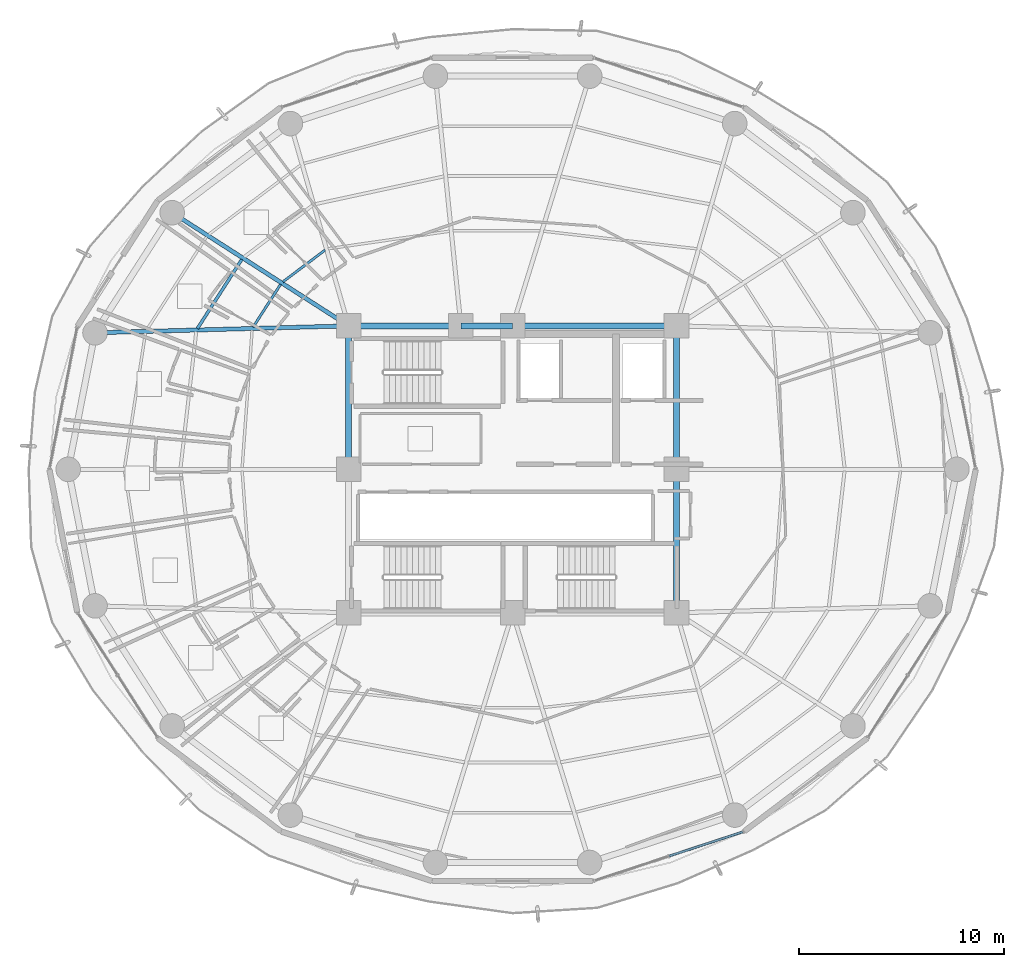
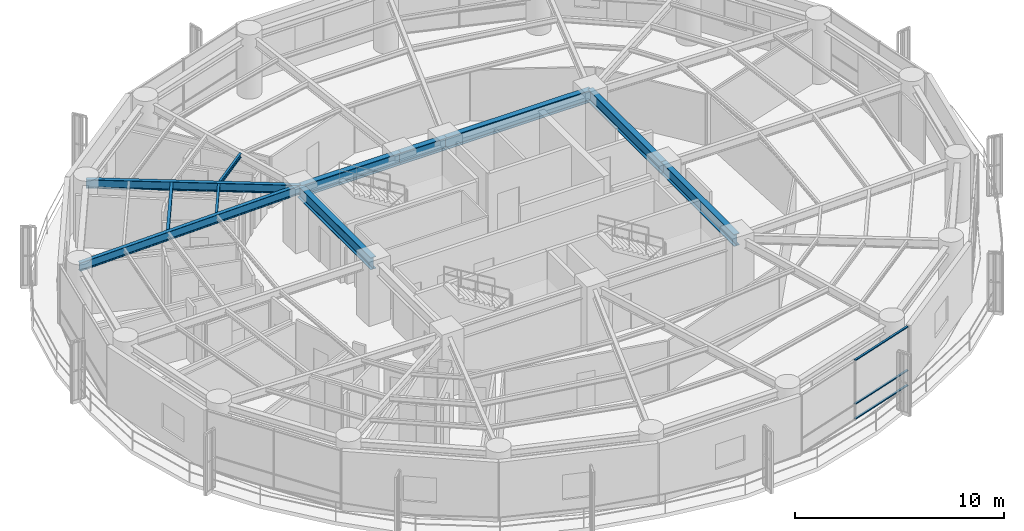
# One storey, part 9 of 27: 11 beams, 3 members, 1 element without a shape of its own.
"""IFC4 building model written with IfcOpenShell, lengths in metres."""

from ifc_helpers import new_model, si_unit, direction, frame, origin, origin_2d, place, context, subcontext, project, spatial, hollow_rectangle, i_section, extrude, material, layer, layer_set, material_profile, profile_set, type_object, element, aggregate, save


model = new_model("IFC4")

# Units and contexts
model_context = context("Model", 3, precision=1e-05, world=origin(), true_north=direction((0.0, 1.0)))
body_context = subcontext(model_context, "Body", "Model", "MODEL_VIEW")
ifc_project = project(units=[si_unit("LENGTHUNIT", "METRE"), si_unit("AREAUNIT", "SQUARE_METRE"), si_unit("VOLUMEUNIT", "CUBIC_METRE"), si_unit("PLANEANGLEUNIT", "RADIAN"), si_unit("MASSUNIT", "GRAM", prefix="KILO")], contexts=[model_context])

# Site, building, storey
site_placement = place(None, origin())
site = spatial("IfcSite", under=ifc_project, at=site_placement, CompositionType="ELEMENT")
building_placement = place(site_placement, origin())
building = spatial("IfcBuilding", under=site, at=building_placement, Name="Kelanora Arch Commons", CompositionType="ELEMENT")
storey_placement = place(building_placement, frame((0.0, 0.0, 173.10009765625)))
storey = spatial("IfcBuildingStorey", under=building, at=storey_placement, Name="L44", CompositionType="ELEMENT", Elevation=173.10009765625)

# Beams
ifc_material_1 = material(Name="Steel S355", Category="steel")
ifc_material_profile_1 = material_profile(ifc_material_1, i_section(OverallWidth=0.300048828125, OverallDepth=0.699951171875, WebThickness=0.01708984375, FlangeThickness=0.031982421875, FilletRadius=0.027099609375, at=origin_2d()), Name="HEB700")
ifc_profile_set_1 = profile_set([ifc_material_profile_1], Name="Steel S355")
beam_type_1 = type_object("IfcBeamType", Name="BM-CORE-HDR", PredefinedType="BEAM", material=ifc_profile_set_1)
for number, where, z_axis, x_axis, name in (
    (1, (82.0, 51.0, 3.139892578125), (0.0, 1.0, 0.0), (-1.0, 0.0, 0.0), "Core Header Beam 03 L44"),
    (2, (82.0, 58.0, 3.139892578125), (0.0, 1.0, 0.0), (-1.0, 0.0, 0.0), "Core Header Beam 04 L44"),
):
    element("IfcBeam", number, at=place(storey_placement, frame(where, z_axis=z_axis, x_axis=x_axis)), inside=storey, type_object=beam_type_1, Name=name, PredefinedType="BEAM", context=body_context, shape_type="SweptSolid", body=[
        extrude(i_section(OverallWidth=0.300048828125, OverallDepth=0.699951171875, WebThickness=0.01708984375, FlangeThickness=0.031982421875, FilletRadius=0.027099609375, at=origin_2d()), origin(), (0.0, 0.0, 1.0), 7.0),
    ])
beam_1_placement = place(storey_placement, frame((82.0, 65.0, 3.139892578125), z_axis=(-1.0, 0.0, 0.0), x_axis=(0.0, -1.0, 0.0)))
element("IfcBeam", 3, at=beam_1_placement, inside=storey, type_object=beam_type_1, Name="Core Header Beam 05 L44", PredefinedType="BEAM", context=body_context, shape_type="SweptSolid", body=[
    extrude(i_section(OverallWidth=0.300048828125, OverallDepth=0.699951171875, WebThickness=0.01708984375, FlangeThickness=0.031982421875, FilletRadius=0.027099609375, at=origin_2d()), origin(), (0.0, 0.0, 1.0), 8.0),
])
beam_2_placement = place(storey_placement, frame((74.0, 65.0, 3.139892578125), z_axis=(-1.0, 0.0, 0.0), x_axis=(0.0, -1.0, 0.0)))
element("IfcBeam", 4, at=beam_2_placement, inside=storey, type_object=beam_type_1, Name="Core Header Beam 06 L44", PredefinedType="BEAM", context=body_context, shape_type="SweptSolid", body=[
    extrude(i_section(OverallWidth=0.300048828125, OverallDepth=0.699951171875, WebThickness=0.01708984375, FlangeThickness=0.031982421875, FilletRadius=0.027099609375, at=origin_2d()), origin(), (0.0, 0.0, 1.0), 2.52001953125),
])
beam_3_placement = place(storey_placement, frame((71.47998046875, 65.0, 3.139892578125), z_axis=(-1.0, 0.0, 0.0), x_axis=(0.0, -1.0, 0.0)))
element("IfcBeam", 5, at=beam_3_placement, inside=storey, type_object=beam_type_1, Name="Core Header Beam 07 L44", PredefinedType="BEAM", context=body_context, shape_type="SweptSolid", body=[
    extrude(i_section(OverallWidth=0.300048828125, OverallDepth=0.699951171875, WebThickness=0.01708984375, FlangeThickness=0.031982421875, FilletRadius=0.027099609375, at=origin_2d()), origin(), (0.0, 0.0, 1.0), 5.47998046875),
])
beam_4_placement = place(storey_placement, frame((66.0, 65.0, 3.139892578125), z_axis=(0.0, -1.0, 0.0), x_axis=(1.0, 0.0, 0.0)))
element("IfcBeam", 6, at=beam_4_placement, inside=storey, type_object=beam_type_1, Name="Core Header Beam 08 L44", PredefinedType="BEAM", context=body_context, shape_type="SweptSolid", body=[
    extrude(i_section(OverallWidth=0.300048828125, OverallDepth=0.699951171875, WebThickness=0.01708984375, FlangeThickness=0.031982421875, FilletRadius=0.027099609375, at=origin_2d()), origin(), (0.0, 0.0, 1.0), 7.0),
])
ifc_material_profile_2 = material_profile(ifc_material_1, i_section(OverallWidth=0.14990234375, OverallDepth=0.300048828125, WebThickness=0.007080078125, FlangeThickness=0.0107421875, FilletRadius=0.014892578125, at=origin_2d()), Name="IPE300")
ifc_profile_set_2 = profile_set([ifc_material_profile_2], Name="Steel S355")
beam_type_2 = type_object("IfcBeamType", Name="BM-JST-01", PredefinedType="JOIST", material=ifc_profile_set_2)
beam_5_placement = place(storey_placement, frame((60.789306640625, 68.241455078125, 3.33984375), z_axis=(-0.540594434398, -0.841283339606, 0.0), x_axis=(0.841283339606, -0.540594434398, 0.0)))
element("IfcBeam", 7, at=beam_5_placement, inside=storey, type_object=beam_type_2, Name="Secondary Chord Joist BJB-14 L44", PredefinedType="JOIST", context=body_context, shape_type="SweptSolid", body=[
    extrude(i_section(OverallWidth=0.14990234375, OverallDepth=0.300048828125, WebThickness=0.007080078125, FlangeThickness=0.0107421875, FilletRadius=0.014892578125, at=origin_2d()), origin(), (0.0, 0.0, 1.0), 4.008544921875),
])
ifc_material_profile_3 = material_profile(ifc_material_1, i_section(OverallWidth=0.1201171875, OverallDepth=0.239990234375, WebThickness=0.006103515625, FlangeThickness=0.009765625, FilletRadius=0.014892578125, at=origin_2d()), Name="IPE240")
ifc_profile_set_3 = profile_set([ifc_material_profile_3], Name="Steel S355")
beam_type_3 = type_object("IfcBeamType", Name="BM-JST-02", PredefinedType="JOIST", material=ifc_profile_set_3)
beam_6_placement = place(storey_placement, frame((64.852783203125, 68.699462890625, 3.369873046875), z_axis=(-0.798484118859, -0.602015873487, 0.0), x_axis=(0.602015873487, -0.798484118859, 0.0)))
element("IfcBeam", 8, at=beam_6_placement, inside=storey, type_object=beam_type_3, Name="Secondary Chord Joist BJA-12 L44", PredefinedType="JOIST", context=body_context, shape_type="SweptSolid", body=[
    extrude(i_section(OverallWidth=0.1201171875, OverallDepth=0.239990234375, WebThickness=0.006103515625, FlangeThickness=0.009765625, FilletRadius=0.014892578125, at=origin_2d()), origin(), (0.0, 0.0, 1.0), 2.57470703125),
])
beam_7_placement = place(storey_placement, frame((62.68310546875, 67.026611328125, 3.369873046875), z_axis=(-0.540583174025, -0.841290575224, 0.0), x_axis=(0.841290575224, -0.540583174025, 0.0)))
element("IfcBeam", 9, at=beam_7_placement, inside=storey, type_object=beam_type_3, Name="Secondary Chord Joist BJA-14 L44", PredefinedType="JOIST", context=body_context, shape_type="SweptSolid", body=[
    extrude(i_section(OverallWidth=0.1201171875, OverallDepth=0.239990234375, WebThickness=0.006103515625, FlangeThickness=0.009765625, FilletRadius=0.014892578125, at=origin_2d()), origin(), (0.0, 0.0, 1.0), 2.476318359375),
])
ifc_material_profile_4 = material_profile(ifc_material_1, i_section(OverallWidth=0.199951171875, OverallDepth=0.5, WebThickness=0.01025390625, FlangeThickness=0.01611328125, FilletRadius=0.02099609375, at=origin_2d()), Name="IPE500")
ifc_profile_set_4 = profile_set([ifc_material_profile_4], Name="Steel S355")
beam_type_4 = type_object("IfcBeamType", Name="BM-RAD-Z3", PredefinedType="BEAM", material=ifc_profile_set_4)
beam_8_placement = place(storey_placement, frame((66.0, 65.0, 3.239990234375), z_axis=(-0.841719465748, 0.539915123868, 0.0), x_axis=(-0.539915123868, -0.841719465748, 0.0)))
element("IfcBeam", 10, at=beam_8_placement, inside=storey, type_object=beam_type_4, Name="Radial Floor Girder BR-14 L44", PredefinedType="BEAM", context=body_context, shape_type="SweptSolid", body=[
    extrude(i_section(OverallWidth=0.199951171875, OverallDepth=0.5, WebThickness=0.01025390625, FlangeThickness=0.01611328125, FilletRadius=0.02099609375, at=origin_2d()), origin(), (0.0, 0.0, 1.0), 10.2265625),
])
beam_9_placement = place(storey_placement, frame((66.0, 65.0, 3.239990234375), z_axis=(-0.999628374924, -0.027260081577, 0.0), x_axis=(0.027260081577, -0.999628374924, 0.0)))
element("IfcBeam", 11, at=beam_9_placement, inside=storey, type_object=beam_type_4, Name="Radial Floor Girder BR-16 L44", PredefinedType="BEAM", context=body_context, shape_type="SweptSolid", body=[
    extrude(i_section(OverallWidth=0.199951171875, OverallDepth=0.5, WebThickness=0.01025390625, FlangeThickness=0.01611328125, FilletRadius=0.02099609375, at=origin_2d()), origin(), (0.0, 0.0, 1.0), 12.377197265625),
])

# Curtain wall, members
ifc_material_2 = material(Name="Terracotta ceramic-fritted low-E glass and aluminium", Category="masonry")
ifc_layer = layer(ifc_material_2, 0.175048828125)
ifc_layer_set = layer_set([ifc_layer], Name="Terracotta ceramic-fritted low-E glass and aluminium")
curtain_wall_type = type_object("IfcCurtainWallType", Name="CW-SYS-02", PredefinedType="NOTDEFINED", material=ifc_layer_set)
curtain_wall_placement = place(storey_placement, origin())
curtain_wall = element("IfcCurtainWall", 12, at=curtain_wall_placement, inside=storey, type_object=curtain_wall_type, Name="Unitised Curtain Wall L44-B14", PredefinedType="NOTDEFINED")
ifc_material_3 = material(Name="Powder-coated aluminium terracotta", Category="masonry")
ifc_material_profile_5 = material_profile(ifc_material_3, hollow_rectangle(XDim=0.1201171875, YDim=0.06005859375, WallThickness=0.0048828125, InnerFilletRadius=0.0048828125, OuterFilletRadius=0.010009765625, at=origin_2d()), Name="CWT120x60")
ifc_profile_set_5 = profile_set([ifc_material_profile_5], Name="Powder-coated aluminium terracotta")
member_type = type_object("IfcMemberType", Name="CWT-STD", PredefinedType="USERDEFINED", material=ifc_profile_set_5)
member_1_placement = place(storey_placement, frame((81.640625, 39.130859375, 0.02978515625), z_axis=(0.950051191155, 0.312094111104, 0.0), x_axis=(-0.312094111104, 0.950051191155, 0.0)))
member_1 = element("IfcMember", 13, at=member_1_placement, type_object=member_type, Name="CW-02 transom 2.1", ObjectType="TRANSOM", PredefinedType="USERDEFINED", context=body_context, shape_type="SweptSolid", body=[
    extrude(hollow_rectangle(XDim=0.1201171875, YDim=0.06005859375, WallThickness=0.0048828125, InnerFilletRadius=0.0048828125, OuterFilletRadius=0.010009765625, at=origin_2d()), origin(), (0.0, 0.0, 1.0), 3.77685546875),
])
member_2_placement = place(storey_placement, frame((81.640625, 39.130859375, 0.89990234375), z_axis=(0.950051191155, 0.312094111104, 0.0), x_axis=(-0.312094111104, 0.950051191155, 0.0)))
member_2 = element("IfcMember", 14, at=member_2_placement, type_object=member_type, Name="CW-02 transom 2.2", ObjectType="TRANSOM", PredefinedType="USERDEFINED", context=body_context, shape_type="SweptSolid", body=[
    extrude(hollow_rectangle(XDim=0.1201171875, YDim=0.06005859375, WallThickness=0.0048828125, InnerFilletRadius=0.0048828125, OuterFilletRadius=0.010009765625, at=origin_2d()), origin(), (0.0, 0.0, 1.0), 3.77685546875),
])
member_3_placement = place(storey_placement, frame((81.640625, 39.130859375, 3.44482421875), z_axis=(0.950051191155, 0.312094111104, 0.0), x_axis=(-0.312094111104, 0.950051191155, 0.0)))
member_3 = element("IfcMember", 15, at=member_3_placement, type_object=member_type, Name="CW-02 transom 2.3", ObjectType="TRANSOM", PredefinedType="USERDEFINED", context=body_context, shape_type="SweptSolid", body=[
    extrude(hollow_rectangle(XDim=0.1201171875, YDim=0.06005859375, WallThickness=0.0048828125, InnerFilletRadius=0.0048828125, OuterFilletRadius=0.010009765625, at=origin_2d()), origin(), (0.0, 0.0, 1.0), 3.77685546875),
])
aggregate(curtain_wall, [member_1, member_2, member_3])

save(model, "model.ifc")
